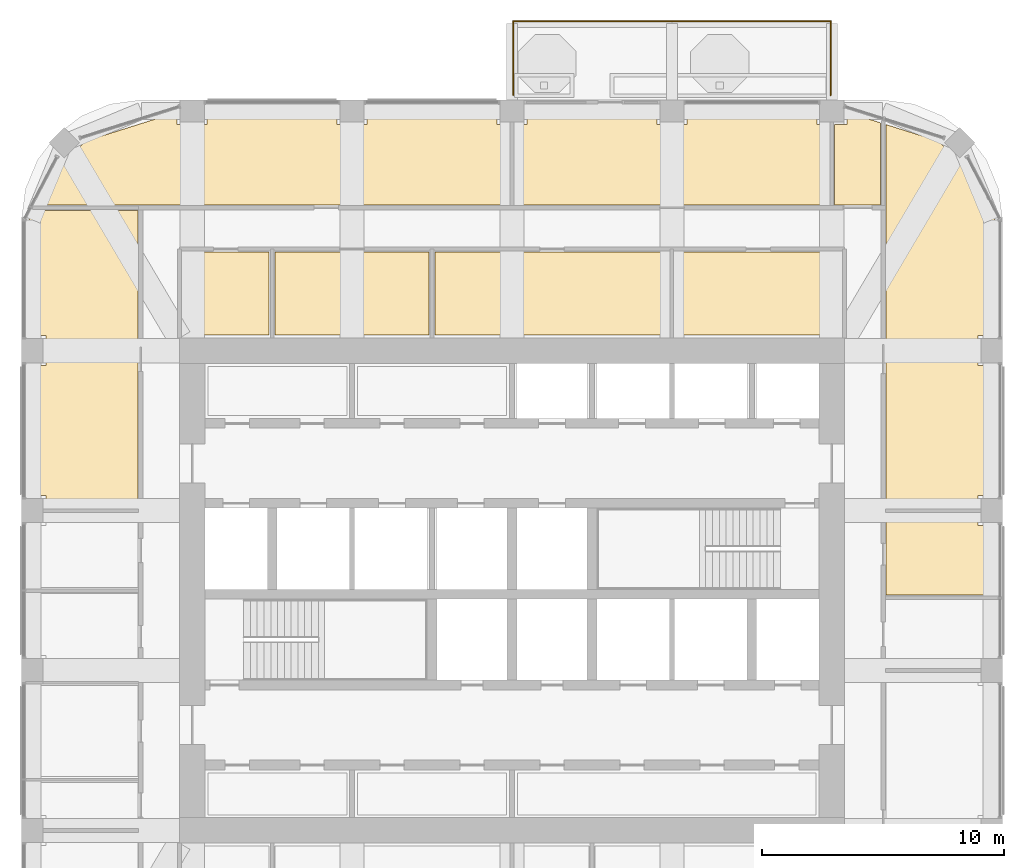
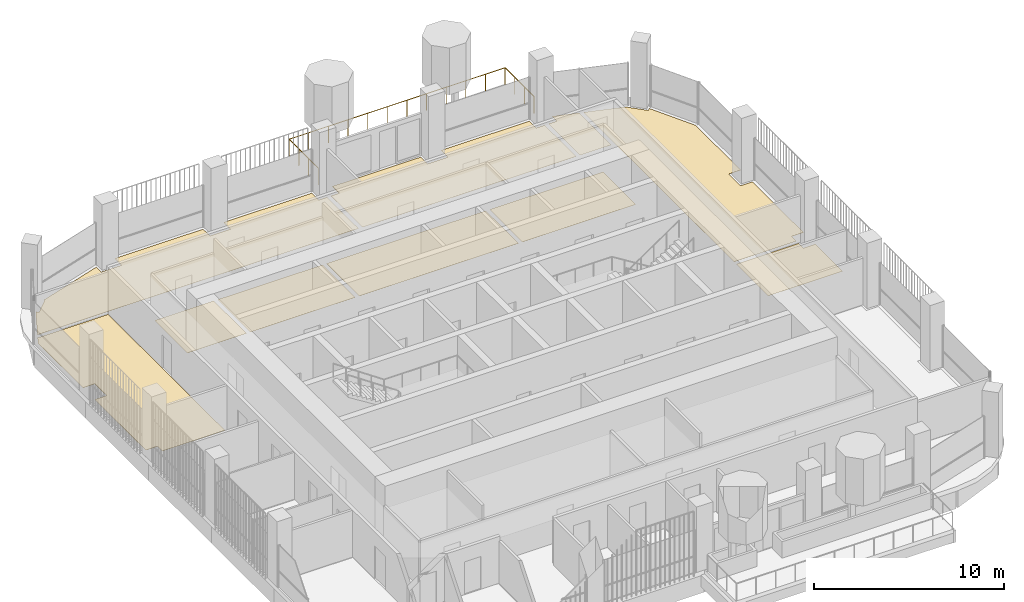
# One storey, part 20 of 21: 10 coverings, 1 railing.
"""IFC4 building model written with IfcOpenShell, lengths in metres."""

from ifc_helpers import new_model, si_unit, direction, frame, origin, place, context, subcontext, project, spatial, polyline, outline, extrude, material, layer, layer_set, type_object, element, save


model = new_model("IFC4")

# Units and contexts
model_context = context("Model", 3, precision=1e-05, world=origin(), true_north=direction((0.0, 1.0)))
body_context = subcontext(model_context, "Body", "Model", "MODEL_VIEW")
ifc_project = project(units=[si_unit("LENGTHUNIT", "METRE"), si_unit("AREAUNIT", "SQUARE_METRE"), si_unit("VOLUMEUNIT", "CUBIC_METRE"), si_unit("PLANEANGLEUNIT", "RADIAN"), si_unit("MASSUNIT", "GRAM", prefix="KILO")], contexts=[model_context])

# Site, building, storey
site_placement = place(None, origin())
site = spatial("IfcSite", under=ifc_project, at=site_placement, CompositionType="ELEMENT")
building_placement = place(site_placement, origin())
building = spatial("IfcBuilding", under=site, at=building_placement, Name="Cobogo Forest Laboratory Tower", CompositionType="ELEMENT")
storey_placement = place(building_placement, frame((0.0, 0.0, 258.60009765625)))
storey = spatial("IfcBuildingStorey", under=building, at=storey_placement, Name="L59", CompositionType="ELEMENT", Elevation=258.60009765625)

# Railing
ifc_material_1 = material(Name="Laminated glass balustrade", Category="glass")
railing_type = type_object("IfcRailingType", Name="BG1 glass balustrade 1100", PredefinedType="GUARDRAIL", material=ifc_material_1)
railing_placement = place(storey_placement, frame((26.449951171875, 43.550048828125, 0.0)))
element("IfcRailing", 1, at=railing_placement, inside=storey, type_object=railing_type, Name="Balcony balustrade BAL-N1 L59", PredefinedType="GUARDRAIL", context=body_context, shape_type="SweptSolid", body=[
    extrude(outline(polyline([(0.022216796875, 0.00927734375), (0.00927734375, 0.022216796875), (-0.00927734375, 0.022216796875), (-0.022216796875, 0.00927734375), (-0.022216796875, -0.00927734375), (-0.00927734375, -0.022216796875), (0.00927734375, -0.022216796875), (0.022216796875, -0.00927734375), (0.022216796875, 0.00927734375)])), frame((0.0, 0.0, 1.077880859375), z_axis=(0.0, 1.0, 0.0), x_axis=(-1.0, 0.0, 0.0)), (0.0, 0.0, 1.0), 3.050048828125),
    extrude(outline(polyline([(0.022216796875, 0.00927734375), (0.00927734375, 0.022216796875), (-0.00927734375, 0.022216796875), (-0.022216796875, 0.00927734375), (-0.022216796875, -0.00927734375), (-0.00927734375, -0.022216796875), (0.00927734375, -0.022216796875), (0.022216796875, -0.00927734375), (0.022216796875, 0.00927734375)])), frame((0.0, 3.050048828125, 1.077880859375), z_axis=(1.0, 0.0, 0.0), x_axis=(0.0, 1.0, 0.0)), (0.0, 0.0, 1.0), 13.10009765625),
    extrude(outline(polyline([(0.022216796875, 0.00927734375), (0.00927734375, 0.022216796875), (-0.00927734375, 0.022216796875), (-0.022216796875, 0.00927734375), (-0.022216796875, -0.00927734375), (-0.00927734375, -0.022216796875), (0.00927734375, -0.022216796875), (0.022216796875, -0.00927734375), (0.022216796875, 0.00927734375)])), frame((13.10009765625, 3.050048828125, 1.077880859375), z_axis=(0.0, -1.0, 0.0), x_axis=(1.0, 0.0, 0.0)), (0.0, 0.0, 1.0), 3.050048828125),
    extrude(outline(polyline([(0.019287109375, 0.008056640625), (0.008056640625, 0.019287109375), (-0.008056640625, 0.019287109375), (-0.019287109375, 0.008056640625), (-0.019287109375, -0.008056640625), (-0.008056640625, -0.019287109375), (0.008056640625, -0.019287109375), (0.019287109375, -0.008056640625), (0.019287109375, 0.008056640625)])), origin(), (0.0, 0.0, 1.0), 1.077880859375),
    extrude(outline(polyline([(0.019287109375, 0.008056640625), (0.008056640625, 0.019287109375), (-0.008056640625, 0.019287109375), (-0.019287109375, 0.008056640625), (-0.019287109375, -0.008056640625), (-0.008056640625, -0.019287109375), (0.008056640625, -0.019287109375), (0.019287109375, -0.008056640625), (0.019287109375, 0.008056640625)])), frame((0.0, 1.0166015625, 0.0)), (0.0, 0.0, 1.0), 1.077880859375),
    extrude(outline(polyline([(0.019287109375, 0.008056640625), (0.008056640625, 0.019287109375), (-0.008056640625, 0.019287109375), (-0.019287109375, 0.008056640625), (-0.019287109375, -0.008056640625), (-0.008056640625, -0.019287109375), (0.008056640625, -0.019287109375), (0.019287109375, -0.008056640625), (0.019287109375, 0.008056640625)])), frame((0.0, 2.033447265625, 0.0)), (0.0, 0.0, 1.0), 1.077880859375),
    extrude(outline(polyline([(0.019287109375, 0.008056640625), (0.008056640625, 0.019287109375), (-0.008056640625, 0.019287109375), (-0.019287109375, 0.008056640625), (-0.019287109375, -0.008056640625), (-0.008056640625, -0.019287109375), (0.008056640625, -0.019287109375), (0.019287109375, -0.008056640625), (0.019287109375, 0.008056640625)])), frame((0.0, 3.050048828125, 0.0)), (0.0, 0.0, 1.0), 1.077880859375),
    extrude(outline(polyline([(0.019287109375, 0.008056640625), (0.008056640625, 0.019287109375), (-0.008056640625, 0.019287109375), (-0.019287109375, 0.008056640625), (-0.019287109375, -0.008056640625), (-0.008056640625, -0.019287109375), (0.008056640625, -0.019287109375), (0.019287109375, -0.008056640625), (0.019287109375, 0.008056640625)])), frame((1.19091796875, 3.050048828125, 0.0)), (0.0, 0.0, 1.0), 1.077880859375),
    extrude(outline(polyline([(0.019287109375, 0.008056640625), (0.008056640625, 0.019287109375), (-0.008056640625, 0.019287109375), (-0.019287109375, 0.008056640625), (-0.019287109375, -0.008056640625), (-0.008056640625, -0.019287109375), (0.008056640625, -0.019287109375), (0.019287109375, -0.008056640625), (0.019287109375, 0.008056640625)])), frame((2.3818359375, 3.050048828125, 0.0)), (0.0, 0.0, 1.0), 1.077880859375),
    extrude(outline(polyline([(0.019287109375, 0.008056640625), (0.008056640625, 0.019287109375), (-0.008056640625, 0.019287109375), (-0.019287109375, 0.008056640625), (-0.019287109375, -0.008056640625), (-0.008056640625, -0.019287109375), (0.008056640625, -0.019287109375), (0.019287109375, -0.008056640625), (0.019287109375, 0.008056640625)])), frame((3.57275390625, 3.050048828125, 0.0)), (0.0, 0.0, 1.0), 1.077880859375),
    extrude(outline(polyline([(0.019287109375, 0.008056640625), (0.008056640625, 0.019287109375), (-0.008056640625, 0.019287109375), (-0.019287109375, 0.008056640625), (-0.019287109375, -0.008056640625), (-0.008056640625, -0.019287109375), (0.008056640625, -0.019287109375), (0.019287109375, -0.008056640625), (0.019287109375, 0.008056640625)])), frame((4.763671875, 3.050048828125, 0.0)), (0.0, 0.0, 1.0), 1.077880859375),
    extrude(outline(polyline([(0.019287109375, 0.008056640625), (0.008056640625, 0.019287109375), (-0.008056640625, 0.019287109375), (-0.019287109375, 0.008056640625), (-0.019287109375, -0.008056640625), (-0.008056640625, -0.019287109375), (0.008056640625, -0.019287109375), (0.019287109375, -0.008056640625), (0.019287109375, 0.008056640625)])), frame((5.95458984375, 3.050048828125, 0.0)), (0.0, 0.0, 1.0), 1.077880859375),
    extrude(outline(polyline([(0.019287109375, 0.008056640625), (0.008056640625, 0.019287109375), (-0.008056640625, 0.019287109375), (-0.019287109375, 0.008056640625), (-0.019287109375, -0.008056640625), (-0.008056640625, -0.019287109375), (0.008056640625, -0.019287109375), (0.019287109375, -0.008056640625), (0.019287109375, 0.008056640625)])), frame((7.1455078125, 3.050048828125, 0.0)), (0.0, 0.0, 1.0), 1.077880859375),
    extrude(outline(polyline([(0.019287109375, 0.008056640625), (0.008056640625, 0.019287109375), (-0.008056640625, 0.019287109375), (-0.019287109375, 0.008056640625), (-0.019287109375, -0.008056640625), (-0.008056640625, -0.019287109375), (0.008056640625, -0.019287109375), (0.019287109375, -0.008056640625), (0.019287109375, 0.008056640625)])), frame((8.33642578125, 3.050048828125, 0.0)), (0.0, 0.0, 1.0), 1.077880859375),
    extrude(outline(polyline([(0.019287109375, 0.008056640625), (0.008056640625, 0.019287109375), (-0.008056640625, 0.019287109375), (-0.019287109375, 0.008056640625), (-0.019287109375, -0.008056640625), (-0.008056640625, -0.019287109375), (0.008056640625, -0.019287109375), (0.019287109375, -0.008056640625), (0.019287109375, 0.008056640625)])), frame((9.52734375, 3.050048828125, 0.0)), (0.0, 0.0, 1.0), 1.077880859375),
    extrude(outline(polyline([(0.019287109375, 0.008056640625), (0.008056640625, 0.019287109375), (-0.008056640625, 0.019287109375), (-0.019287109375, 0.008056640625), (-0.019287109375, -0.008056640625), (-0.008056640625, -0.019287109375), (0.008056640625, -0.019287109375), (0.019287109375, -0.008056640625), (0.019287109375, 0.008056640625)])), frame((10.71826171875, 3.050048828125, 0.0)), (0.0, 0.0, 1.0), 1.077880859375),
    extrude(outline(polyline([(0.019287109375, 0.008056640625), (0.008056640625, 0.019287109375), (-0.008056640625, 0.019287109375), (-0.019287109375, 0.008056640625), (-0.019287109375, -0.008056640625), (-0.008056640625, -0.019287109375), (0.008056640625, -0.019287109375), (0.019287109375, -0.008056640625), (0.019287109375, 0.008056640625)])), frame((11.9091796875, 3.050048828125, 0.0)), (0.0, 0.0, 1.0), 1.077880859375),
    extrude(outline(polyline([(0.019287109375, 0.008056640625), (0.008056640625, 0.019287109375), (-0.008056640625, 0.019287109375), (-0.019287109375, 0.008056640625), (-0.019287109375, -0.008056640625), (-0.008056640625, -0.019287109375), (0.008056640625, -0.019287109375), (0.019287109375, -0.008056640625), (0.019287109375, 0.008056640625)])), frame((13.10009765625, 3.050048828125, 0.0)), (0.0, 0.0, 1.0), 1.077880859375),
    extrude(outline(polyline([(0.019287109375, 0.008056640625), (0.008056640625, 0.019287109375), (-0.008056640625, 0.019287109375), (-0.019287109375, 0.008056640625), (-0.019287109375, -0.008056640625), (-0.008056640625, -0.019287109375), (0.008056640625, -0.019287109375), (0.019287109375, -0.008056640625), (0.019287109375, 0.008056640625)])), frame((13.10009765625, 2.033447265625, 0.0)), (0.0, 0.0, 1.0), 1.077880859375),
    extrude(outline(polyline([(0.019287109375, 0.008056640625), (0.008056640625, 0.019287109375), (-0.008056640625, 0.019287109375), (-0.019287109375, 0.008056640625), (-0.019287109375, -0.008056640625), (-0.008056640625, -0.019287109375), (0.008056640625, -0.019287109375), (0.019287109375, -0.008056640625), (0.019287109375, 0.008056640625)])), frame((13.10009765625, 1.0166015625, 0.0)), (0.0, 0.0, 1.0), 1.077880859375),
    extrude(outline(polyline([(0.019287109375, 0.008056640625), (0.008056640625, 0.019287109375), (-0.008056640625, 0.019287109375), (-0.019287109375, 0.008056640625), (-0.019287109375, -0.008056640625), (-0.008056640625, -0.019287109375), (0.008056640625, -0.019287109375), (0.019287109375, -0.008056640625), (0.019287109375, 0.008056640625)])), frame((13.10009765625, 0.0, 0.0)), (0.0, 0.0, 1.0), 1.077880859375),
])

# Coverings
ifc_material_2 = material(Name="Carpet tile on raised access floor", Category="flooring")
ifc_layer_1 = layer(ifc_material_2, 0.008056640625)
ifc_layer_set_1 = layer_set([ifc_layer_1], Name="CT1 carpet tile floor 8")
covering_type_1 = type_object("IfcCoveringType", Name="CT1 carpet tile floor 8", PredefinedType="FLOORING", material=ifc_layer_set_1)
covering_1_placement = place(storey_placement, origin())
element("IfcCovering", 2, at=covering_1_placement, inside=storey, type_object=covering_type_1, Name="Carpet floor L59-01", PredefinedType="FLOORING", context=body_context, shape_type="SweptSolid", body=[
    extrude(outline(polyline([(16.3798828125, 33.64501953125), (12.794921875, 33.64501953125), (12.794921875, 37.080078125), (16.3798828125, 37.080078125), (16.3798828125, 33.64501953125)])), origin(), (0.0, 0.0, 1.0), 0.0078125),
])
covering_2_placement = place(storey_placement, origin())
element("IfcCovering", 3, at=covering_2_placement, inside=storey, type_object=covering_type_1, Name="Carpet floor L59-02", PredefinedType="FLOORING", context=body_context, shape_type="SweptSolid", body=[
    extrude(outline(polyline([(22.97998046875, 33.64501953125), (16.6201171875, 33.64501953125), (16.6201171875, 37.080078125), (22.97998046875, 37.080078125), (22.97998046875, 33.64501953125)])), origin(), (0.0, 0.0, 1.0), 0.0078125),
])
covering_3_placement = place(storey_placement, origin())
element("IfcCovering", 4, at=covering_3_placement, inside=storey, type_object=covering_type_1, Name="Carpet floor L59-03", PredefinedType="FLOORING", context=body_context, shape_type="SweptSolid", body=[
    extrude(outline(polyline([(32.8798828125, 33.64501953125), (23.219970703125, 33.64501953125), (23.219970703125, 37.080078125), (32.8798828125, 37.080078125), (32.8798828125, 33.64501953125)])), origin(), (0.0, 0.0, 1.0), 0.0078125),
])
covering_4_placement = place(storey_placement, origin())
element("IfcCovering", 5, at=covering_4_placement, inside=storey, type_object=covering_type_1, Name="Carpet floor L59-04", PredefinedType="FLOORING", context=body_context, shape_type="SweptSolid", body=[
    extrude(outline(polyline([(40.0048828125, 33.64501953125), (33.1201171875, 33.64501953125), (33.1201171875, 37.080078125), (40.0048828125, 37.080078125), (40.0048828125, 33.64501953125)])), origin(), (0.0, 0.0, 1.0), 0.0078125),
])
covering_5_placement = place(storey_placement, origin())
element("IfcCovering", 6, at=covering_5_placement, inside=storey, type_object=covering_type_1, Name="Carpet floor L59-19", PredefinedType="FLOORING", context=body_context, shape_type="SweptSolid", body=[
    extrude(outline(polyline([(6.80078125, 39.02001953125), (7.788818359375, 40.905029296875), (7.91796875, 40.77587890625), (8.72412109375, 41.58203125), (8.68994140625, 41.615966796875), (12.580078125, 42.844482421875), (12.580078125, 42.330078125), (13.820068359375, 42.330078125), (13.820068359375, 43.050048828125), (19.179931640625, 43.050048828125), (19.179931640625, 42.330078125), (20.419921875, 42.330078125), (20.419921875, 43.050048828125), (25.780029296875, 43.050048828125), (25.780029296875, 42.330078125), (26.280029296875, 42.330078125), (26.280029296875, 39.02001953125), (6.80078125, 39.02001953125)])), origin(), (0.0, 0.0, 1.0), 0.0078125),
])
covering_6_placement = place(storey_placement, origin())
element("IfcCovering", 7, at=covering_6_placement, inside=storey, type_object=covering_type_1, Name="Carpet floor L59-20", PredefinedType="FLOORING", context=body_context, shape_type="SweptSolid", body=[
    extrude(outline(polyline([(26.52001953125, 39.02001953125), (26.52001953125, 42.330078125), (27.02001953125, 42.330078125), (27.02001953125, 43.050048828125), (32.3798828125, 43.050048828125), (32.3798828125, 42.330078125), (33.6201171875, 42.330078125), (33.6201171875, 43.050048828125), (38.97998046875, 43.050048828125), (38.97998046875, 42.330078125), (39.47998046875, 42.330078125), (39.47998046875, 39.02001953125), (26.52001953125, 39.02001953125)])), origin(), (0.0, 0.0, 1.0), 0.0078125),
])
covering_7_placement = place(storey_placement, origin())
element("IfcCovering", 8, at=covering_7_placement, inside=storey, type_object=covering_type_1, Name="Carpet floor L59-27", PredefinedType="FLOORING", context=body_context, shape_type="SweptSolid", body=[
    extrude(outline(polyline([(10.955078125, 26.52001953125), (7.169921875, 26.52001953125), (7.169921875, 27.02001953125), (6.449951171875, 27.02001953125), (6.449951171875, 32.3798828125), (7.169921875, 32.3798828125), (7.169921875, 33.6201171875), (6.449951171875, 33.6201171875), (6.449951171875, 38.350830078125), (6.675048828125, 38.780029296875), (10.955078125, 38.780029296875), (10.955078125, 26.52001953125)])), origin(), (0.0, 0.0, 1.0), 0.0078125),
])
ifc_material_3 = material(Name="Epoxy resin flooring", Category="flooring")
ifc_layer_2 = layer(ifc_material_3, 0.00390625)
ifc_layer_set_2 = layer_set([ifc_layer_2], Name="LF1 epoxy laboratory floor 4")
covering_type_2 = type_object("IfcCoveringType", Name="LF1 epoxy laboratory floor 4", PredefinedType="FLOORING", material=ifc_layer_set_2)
covering_8_placement = place(storey_placement, origin())
element("IfcCovering", 9, at=covering_8_placement, inside=storey, type_object=covering_type_2, Name="Epoxy laboratory floor L59-18", PredefinedType="FLOORING", context=body_context, shape_type="SweptSolid", body=[
    extrude(outline(polyline([(41.844970703125, 42.331298828125), (44.10986328125, 41.615966796875), (44.075927734375, 41.58203125), (44.882080078125, 40.77587890625), (45.010986328125, 40.905029296875), (46.35009765625, 38.350830078125), (46.35009765625, 33.6201171875), (45.6298828125, 33.6201171875), (45.6298828125, 32.3798828125), (46.35009765625, 32.3798828125), (46.35009765625, 27.02001953125), (45.6298828125, 27.02001953125), (45.6298828125, 26.52001953125), (41.844970703125, 26.52001953125), (41.844970703125, 42.331298828125)])), origin(), (0.0, 0.0, 1.0), 0.00390625),
])
covering_9_placement = place(storey_placement, origin())
element("IfcCovering", 10, at=covering_9_placement, inside=storey, type_object=covering_type_2, Name="Epoxy laboratory floor L59-21", PredefinedType="FLOORING", context=body_context, shape_type="SweptSolid", body=[
    extrude(outline(polyline([(39.719970703125, 39.02001953125), (39.719970703125, 42.330078125), (40.219970703125, 42.330078125), (40.219970703125, 42.844482421875), (41.60498046875, 42.406982421875), (41.60498046875, 39.02001953125), (39.719970703125, 39.02001953125)])), origin(), (0.0, 0.0, 1.0), 0.00390625),
])
ifc_material_4 = material(Name="Static-dissipative vinyl flooring", Category="flooring")
ifc_layer_3 = layer(ifc_material_4, 0.0029296875)
ifc_layer_set_3 = layer_set([ifc_layer_3], Name="SD1 static-dissipative vinyl floor 3")
covering_type_3 = type_object("IfcCoveringType", Name="SD1 static-dissipative vinyl floor 3", PredefinedType="FLOORING", material=ifc_layer_set_3)
covering_10_placement = place(storey_placement, origin())
element("IfcCovering", 11, at=covering_10_placement, inside=storey, type_object=covering_type_3, Name="Static-dissipative floor L59-17", PredefinedType="FLOORING", context=body_context, shape_type="SweptSolid", body=[
    extrude(outline(polyline([(41.844970703125, 26.280029296875), (45.6298828125, 26.280029296875), (45.6298828125, 25.780029296875), (46.35009765625, 25.780029296875), (46.35009765625, 22.919921875), (41.844970703125, 22.919921875), (41.844970703125, 26.280029296875)])), origin(), (0.0, 0.0, 1.0), 0.0029296875),
])

save(model, "model.ifc")
